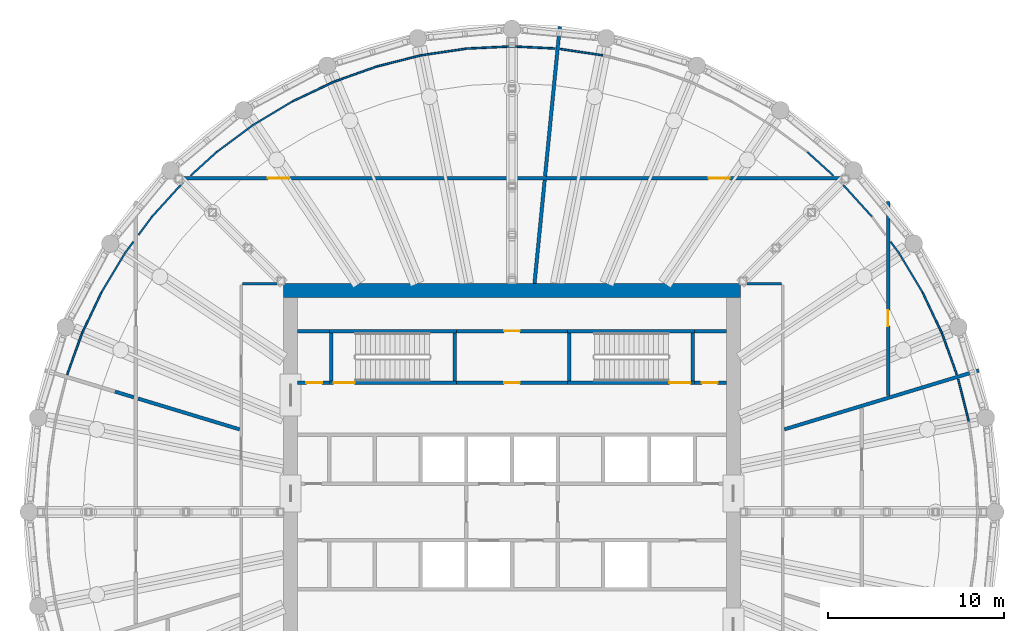
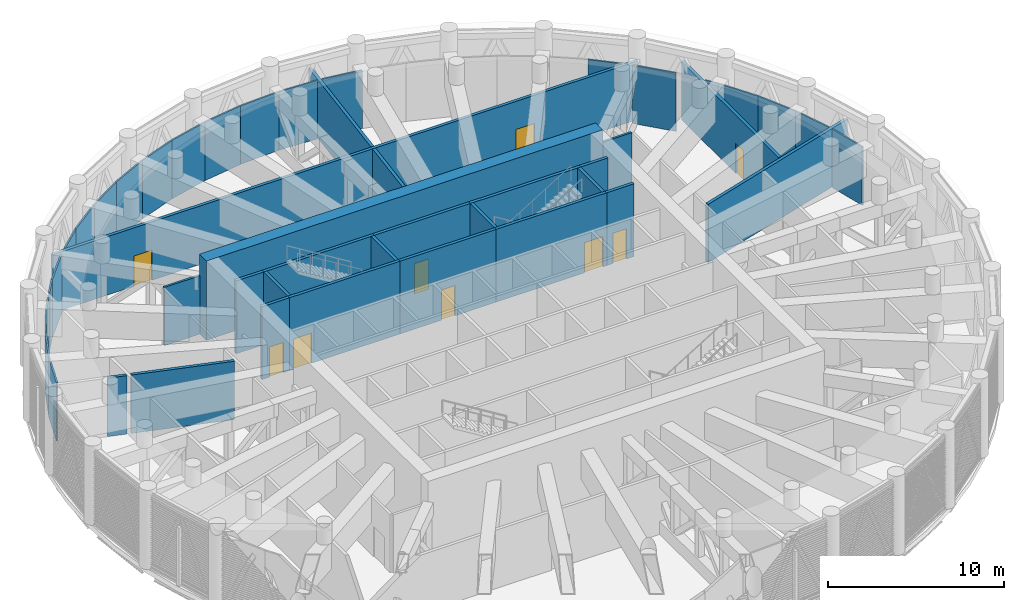
# One storey, part 11 of 24: 47 walls, 9 doors, 9 openings.
"""IFC4 building model written with IfcOpenShell, lengths in metres."""

from ifc_helpers import new_model, si_unit, direction, frame, frame_2d, origin, place, context, subcontext, project, spatial, polyline, rectangle, outline, extrude, material, layer, layer_set, type_object, element, fill, save


model = new_model("IFC4")

# Units and contexts
model_context = context("Model", 3, precision=1e-05, world=origin(), true_north=direction((0.0, 1.0)))
body_context = subcontext(model_context, "Body", "Model", "MODEL_VIEW")
ifc_project = project(units=[si_unit("LENGTHUNIT", "METRE"), si_unit("AREAUNIT", "SQUARE_METRE"), si_unit("VOLUMEUNIT", "CUBIC_METRE"), si_unit("PLANEANGLEUNIT", "RADIAN"), si_unit("MASSUNIT", "GRAM", prefix="KILO")], contexts=[model_context])

# Site, building, storey
site_placement = place(None, origin())
site = spatial("IfcSite", under=ifc_project, at=site_placement, CompositionType="ELEMENT")
building_placement = place(site_placement, origin())
building = spatial("IfcBuilding", under=site, at=building_placement, Name="Corvane Civic Tower", CompositionType="ELEMENT")
storey_placement = place(building_placement, frame((0.0, 0.0, 257.5)))
storey = spatial("IfcBuildingStorey", under=building, at=storey_placement, Name="L61", CompositionType="ELEMENT", Elevation=257.5)

# Wall
ifc_material_1 = material(Name="Concrete C50/60", Category="concrete")
ifc_layer_1 = layer(ifc_material_1, 0.800048828125)
ifc_layer_set_1 = layer_set([ifc_layer_1], Name="Concrete C50/60")
wall_type_1 = type_object("IfcWallType", Name="CORE WALL 800 C50/60", PredefinedType="SHEAR", material=ifc_layer_set_1)
wall_1_placement = place(storey_placement, frame((-13.0, 12.60009765625, 0.0), z_axis=(0.0, 0.0, 1.0), x_axis=(1.0, 0.0, 0.0)))
element("IfcWall", 1, at=wall_1_placement, inside=storey, type_object=wall_type_1, Name="W-L61-core-N", PredefinedType="SHEAR", context=body_context, shape_type="SweptSolid", body=[
    extrude(rectangle(XDim=26.0, YDim=0.800048828125, at=frame_2d((13.0, 0.0))), origin(), (0.0, 0.0, 1.0), 5.5),
])

# Wall, opening, door
ifc_material_2 = material(Name="Concrete C30/37", Category="concrete")
ifc_layer_2 = layer(ifc_material_2, 0.199951171875)
ifc_layer_set_2 = layer_set([ifc_layer_2], Name="Concrete C30/37")
wall_type_2 = type_object("IfcWallType", Name="CR-WALL-200", PredefinedType="PARTITIONING", material=ifc_layer_set_2)
wall_2_placement = place(storey_placement, frame((-12.199951171875, 7.35009765625, 0.0), z_axis=(0.0, 0.0, 1.0), x_axis=(1.0, 0.0, 0.0)))
wall_2 = element("IfcWall", 2, at=wall_2_placement, inside=storey, type_object=wall_type_2, Name="L61 core partition wall", PredefinedType="PARTITIONING", context=body_context, shape_type="SweptSolid", body=[
    extrude(rectangle(XDim=1.800048828125, YDim=0.199951171875, at=frame_2d((0.89990234375, 0.0))), origin(), (0.0, 0.0, 1.0), 5.050048828125),
])
opening_1_placement = place(wall_2_placement, frame((0.5, 0.0, 0.0)))
opening_1 = element("IfcOpeningElement", 3, at=opening_1_placement, cuts=wall_2, Name="Opening L61.C11", PredefinedType="OPENING", context=body_context, shape_type="SweptSolid", body=[
    extrude(rectangle(XDim=0.89990234375, YDim=2.10009765625, at=frame_2d((0.449951171875, 1.050048828125))), frame((0.0, 0.10986328125, 0.0), z_axis=(0.0, -1.0, 0.0), x_axis=(1.0, 0.0, 0.0)), (0.0, 0.0, 1.0), 0.219970703125),
])
ifc_material_3 = material(Name="Steel fire door leaf", Category="steel")
door_type_1 = type_object("IfcDoorType", Name="CR-DOOR-900", OperationType="SINGLE_SWING_LEFT", PredefinedType="DOOR", material=ifc_material_3)
door_1_placement = place(opening_1_placement, origin())
door_1 = element("IfcDoor", 4, at=door_1_placement, inside=storey, type_object=door_type_1, Name="L61 door", OperationType="SINGLE_SWING_LEFT", OverallHeight=2.10009765625, OverallWidth=0.89990234375, PredefinedType="DOOR", context=body_context, shape_type="SweptSolid", body=[
    extrude(rectangle(XDim=0.89990234375, YDim=2.10009765625, at=frame_2d((0.449951171875, 1.050048828125))), frame((0.0, 0.02490234375, 0.0), z_axis=(0.0, -1.0, 0.0), x_axis=(1.0, 0.0, 0.0)), (0.0, 0.0, 1.0), 0.050048828125),
])
fill(opening_1, door_1)

wall_3_placement = place(storey_placement, frame((-3.14990234375, 7.35009765625, 0.0), z_axis=(0.0, 0.0, 1.0), x_axis=(1.0, 0.0, 0.0)))
wall_3 = element("IfcWall", 5, at=wall_3_placement, inside=storey, type_object=wall_type_2, Name="L61 core partition wall", PredefinedType="PARTITIONING", context=body_context, shape_type="SweptSolid", body=[
    extrude(rectangle(XDim=6.2998046875, YDim=0.199951171875, at=frame_2d((3.14990234375, 0.0))), origin(), (0.0, 0.0, 1.0), 5.050048828125),
])
opening_2_placement = place(wall_3_placement, frame((2.699951171875, 0.0, 0.0)))
opening_2 = element("IfcOpeningElement", 6, at=opening_2_placement, cuts=wall_3, Name="Opening L61.C07", PredefinedType="OPENING", context=body_context, shape_type="SweptSolid", body=[
    extrude(rectangle(XDim=0.89990234375, YDim=2.10009765625, at=frame_2d((0.449951171875, 1.050048828125))), frame((0.0, 0.10986328125, 0.0), z_axis=(0.0, -1.0, 0.0), x_axis=(1.0, 0.0, 0.0)), (0.0, 0.0, 1.0), 0.219970703125),
])
door_2_placement = place(opening_2_placement, origin())
door_2 = element("IfcDoor", 7, at=door_2_placement, inside=storey, type_object=door_type_1, Name="L61 door", OperationType="SINGLE_SWING_LEFT", OverallHeight=2.10009765625, OverallWidth=0.89990234375, PredefinedType="DOOR", context=body_context, shape_type="SweptSolid", body=[
    extrude(rectangle(XDim=0.89990234375, YDim=2.10009765625, at=frame_2d((0.449951171875, 1.050048828125))), frame((0.0, 0.02490234375, 0.0), z_axis=(0.0, -1.0, 0.0), x_axis=(1.0, 0.0, 0.0)), (0.0, 0.0, 1.0), 0.050048828125),
])
fill(opening_2, door_2)

wall_4_placement = place(storey_placement, frame((10.39990234375, 7.35009765625, 0.0), z_axis=(0.0, 0.0, 1.0), x_axis=(1.0, 0.0, 0.0)))
wall_4 = element("IfcWall", 8, at=wall_4_placement, inside=storey, type_object=wall_type_2, Name="L61 core partition wall", PredefinedType="PARTITIONING", context=body_context, shape_type="SweptSolid", body=[
    extrude(rectangle(XDim=1.800048828125, YDim=0.199951171875, at=frame_2d((0.89990234375, 0.0))), origin(), (0.0, 0.0, 1.0), 5.050048828125),
])
opening_3_placement = place(wall_4_placement, frame((0.39990234375, 0.0, 0.0)))
opening_3 = element("IfcOpeningElement", 9, at=opening_3_placement, cuts=wall_4, Name="Opening L61.C13", PredefinedType="OPENING", context=body_context, shape_type="SweptSolid", body=[
    extrude(rectangle(XDim=0.89990234375, YDim=2.10009765625, at=frame_2d((0.449951171875, 1.050048828125))), frame((0.0, 0.10986328125, 0.0), z_axis=(0.0, -1.0, 0.0), x_axis=(1.0, 0.0, 0.0)), (0.0, 0.0, 1.0), 0.219970703125),
])
door_3_placement = place(opening_3_placement, origin())
door_3 = element("IfcDoor", 10, at=door_3_placement, inside=storey, type_object=door_type_1, Name="L61 door", OperationType="SINGLE_SWING_LEFT", OverallHeight=2.10009765625, OverallWidth=0.89990234375, PredefinedType="DOOR", context=body_context, shape_type="SweptSolid", body=[
    extrude(rectangle(XDim=0.89990234375, YDim=2.10009765625, at=frame_2d((0.449951171875, 1.050048828125))), frame((0.0, 0.02490234375, 0.0), z_axis=(0.0, -1.0, 0.0), x_axis=(1.0, 0.0, 0.0)), (0.0, 0.0, 1.0), 0.050048828125),
])
fill(opening_3, door_3)

wall_5_placement = place(storey_placement, frame((-3.14990234375, 10.300048828125, 0.0), z_axis=(0.0, 0.0, 1.0), x_axis=(1.0, 0.0, 0.0)))
wall_5 = element("IfcWall", 11, at=wall_5_placement, inside=storey, type_object=wall_type_2, Name="L61 partition wall", PredefinedType="PARTITIONING", context=body_context, shape_type="SweptSolid", body=[
    extrude(rectangle(XDim=6.2998046875, YDim=0.199951171875, at=frame_2d((3.14990234375, 0.0))), origin(), (0.0, 0.0, 1.0), 5.050048828125),
])
opening_4_placement = place(wall_5_placement, frame((2.699951171875, 0.0, 0.0)))
opening_4 = element("IfcOpeningElement", 12, at=opening_4_placement, cuts=wall_5, Name="Opening L61.C09", PredefinedType="OPENING", context=body_context, shape_type="SweptSolid", body=[
    extrude(rectangle(XDim=0.89990234375, YDim=2.10009765625, at=frame_2d((0.449951171875, 1.050048828125))), frame((0.0, 0.10986328125, 0.0), z_axis=(0.0, -1.0, 0.0), x_axis=(1.0, 0.0, 0.0)), (0.0, 0.0, 1.0), 0.219970703125),
])
door_4_placement = place(opening_4_placement, origin())
door_4 = element("IfcDoor", 13, at=door_4_placement, inside=storey, type_object=door_type_1, Name="L61 door", OperationType="SINGLE_SWING_LEFT", OverallHeight=2.10009765625, OverallWidth=0.89990234375, PredefinedType="DOOR", context=body_context, shape_type="SweptSolid", body=[
    extrude(rectangle(XDim=0.89990234375, YDim=2.10009765625, at=frame_2d((0.449951171875, 1.050048828125))), frame((0.0, 0.02490234375, 0.0), z_axis=(0.0, -1.0, 0.0), x_axis=(1.0, 0.0, 0.0)), (0.0, 0.0, 1.0), 0.050048828125),
])
fill(opening_4, door_4)

# Walls
wall_6_placement = place(storey_placement, origin())
element("IfcWall", 14, at=wall_6_placement, inside=storey, type_object=wall_type_2, Name="L61 core partition wall", PredefinedType="PARTITIONING", context=body_context, shape_type="SweptSolid", body=[
    extrude(outline(polyline([(-12.199951171875, 10.199951171875), (-12.199951171875, 10.39990234375), (-10.39990234375, 10.39990234375), (-10.39990234375, 10.199951171875), (-12.199951171875, 10.199951171875)])), origin(), (0.0, 0.0, 1.0), 5.050048828125),
])
wall_7_placement = place(storey_placement, origin())
element("IfcWall", 15, at=wall_7_placement, inside=storey, type_object=wall_type_2, Name="L61 core partition wall", PredefinedType="PARTITIONING", context=body_context, shape_type="SweptSolid", body=[
    extrude(outline(polyline([(10.39990234375, 10.199951171875), (10.39990234375, 10.39990234375), (12.199951171875, 10.39990234375), (12.199951171875, 10.199951171875), (10.39990234375, 10.199951171875)])), origin(), (0.0, 0.0, 1.0), 5.050048828125),
])
ifc_material_4 = material(Name="Plasterboard")
ifc_layer_3 = layer(ifc_material_4, 0.10009765625)
ifc_layer_set_3 = layer_set([ifc_layer_3], Name="Plasterboard")
wall_type_3 = type_object("IfcWallType", Name="Partition 100 plasterboard on studs", PredefinedType="PARTITIONING", material=ifc_layer_set_3)
for number, where, z_axis, x_axis, name in (
    (16, (25.391845703125, 7.55615234375, 0.0), (0.0, 0.0, 1.0), (0.243025930525, -0.970019792114, 0.0), "Partition L61.030"),
    (17, (24.481689453125, 10.140625, 0.0), (0.0, 0.0, 1.0), (0.336902109308, -0.941539679856, 0.0), "Partition L61.032"),
):
    element("IfcWall", number, at=place(storey_placement, frame(where, z_axis=z_axis, x_axis=x_axis)), inside=storey, type_object=wall_type_3, Name=name, PredefinedType="PARTITIONING", context=body_context, shape_type="SweptSolid", body=[
        extrude(rectangle(XDim=2.460205078125, YDim=0.10009765625, at=frame_2d((1.22998046875, 0.0))), origin(), (0.0, 0.0, 1.0), 4.050048828125),
    ])
wall_8_placement = place(storey_placement, frame((23.36962890625, 12.491455078125, 0.0), z_axis=(0.0, 0.0, 1.0), x_axis=(0.427618167427, -0.903959458652, 0.0)))
element("IfcWall", 18, at=wall_8_placement, inside=storey, type_object=wall_type_3, Name="Partition L61.034", PredefinedType="PARTITIONING", context=body_context, shape_type="SweptSolid", body=[
    extrude(rectangle(XDim=2.6005859375, YDim=0.10009765625, at=frame_2d((1.30029296875, 0.0))), origin(), (0.0, 0.0, 1.0), 4.050048828125),
])
wall_9_placement = place(storey_placement, frame((22.032958984375, 14.721923828125, 0.0), z_axis=(0.0, 0.0, 1.0), x_axis=(0.514040046977, -0.857766186151, 0.0)))
element("IfcWall", 19, at=wall_9_placement, inside=storey, type_object=wall_type_3, Name="Partition L61.036", PredefinedType="PARTITIONING", context=body_context, shape_type="SweptSolid", body=[
    extrude(rectangle(XDim=2.600341796875, YDim=0.10009765625, at=frame_2d((1.30029296875, 0.0))), origin(), (0.0, 0.0, 1.0), 4.050048828125),
])
wall_10_placement = place(storey_placement, frame((21.5400390625, 15.386474609375, 0.0), z_axis=(0.0, 0.0, 1.0), x_axis=(0.595742556119, -0.803175452083, 0.0)))
element("IfcWall", 20, at=wall_10_placement, inside=storey, type_object=wall_type_3, Name="Partition L61.039", PredefinedType="PARTITIONING", context=body_context, shape_type="SweptSolid", body=[
    extrude(rectangle(XDim=0.827392578125, YDim=0.10009765625, at=frame_2d((0.41357421875, 0.0))), origin(), (0.0, 0.0, 1.0), 4.050048828125),
])
wall_11_placement = place(storey_placement, frame((18.7373046875, 18.7373046875, 0.0), z_axis=(0.0, 0.0, 1.0), x_axis=(0.671616067397, -0.740899357548, 0.0)))
element("IfcWall", 21, at=wall_11_placement, inside=storey, type_object=wall_type_3, Name="Partition L61.041", PredefinedType="PARTITIONING", context=body_context, shape_type="SweptSolid", body=[
    extrude(rectangle(XDim=2.6005859375, YDim=0.10009765625, at=frame_2d((1.30029296875, 0.0))), origin(), (0.0, 0.0, 1.0), 4.050048828125),
])
wall_12_placement = place(storey_placement, frame((16.810546875, 20.48388671875, 0.0), z_axis=(0.0, 0.0, 1.0), x_axis=(0.740905372848, -0.671609431504, 0.0)))
element("IfcWall", 22, at=wall_12_placement, inside=storey, type_object=wall_type_3, Name="Partition L61.042", PredefinedType="PARTITIONING", context=body_context, shape_type="SweptSolid", body=[
    extrude(rectangle(XDim=2.001220703125, YDim=0.10009765625, at=frame_2d((1.00048828125, 0.0))), origin(), (0.0, 0.0, 1.0), 4.050048828125),
])
for number, where, z_axis, x_axis, name in (
    (23, (2.736083984375, 26.3505859375, 0.0), (0.0, 0.0, 1.0), (0.989185339215, -0.146670940144, 0.0), "Partition L61.054"),
    (24, (0.0, 26.498779296875, 0.0), (0.0, 0.0, 1.0), (0.998792837062, -0.0491209592, 0.0), "Partition L61.057"),
):
    element("IfcWall", number, at=place(storey_placement, frame(where, z_axis=z_axis, x_axis=x_axis)), inside=storey, type_object=wall_type_3, Name=name, PredefinedType="PARTITIONING", context=body_context, shape_type="SweptSolid", body=[
        extrude(rectangle(XDim=2.460205078125, YDim=0.10009765625, at=frame_2d((1.22998046875, 0.0))), origin(), (0.0, 0.0, 1.0), 4.050048828125),
    ])
wall_13_placement = place(storey_placement, frame((-2.597412109375, 26.37109375, 0.0), z_axis=(0.0, 0.0, 1.0), x_axis=(0.99879389393, 0.049099464849, 0.0)))
element("IfcWall", 25, at=wall_13_placement, inside=storey, type_object=wall_type_3, Name="Partition L61.059", PredefinedType="PARTITIONING", context=body_context, shape_type="SweptSolid", body=[
    extrude(rectangle(XDim=2.6005859375, YDim=0.10009765625, at=frame_2d((1.30029296875, 0.0))), origin(), (0.0, 0.0, 1.0), 4.050048828125),
])
for number, where, z_axis, x_axis, name in (
    (26, (-5.169677734375, 25.98974609375, 0.0), (0.0, 0.0, 1.0), (0.989188334427, 0.146650738266, 0.0), "Partition L61.060"),
    (27, (-7.692138671875, 25.35791015625, 0.0), (0.0, 0.0, 1.0), (0.970031945218, 0.242977417172, 0.0), "Partition L61.063"),
):
    element("IfcWall", number, at=place(storey_placement, frame(where, z_axis=z_axis, x_axis=x_axis)), inside=storey, type_object=wall_type_3, Name=name, PredefinedType="PARTITIONING", context=body_context, shape_type="SweptSolid", body=[
        extrude(rectangle(XDim=2.600341796875, YDim=0.10009765625, at=frame_2d((1.30029296875, 0.0))), origin(), (0.0, 0.0, 1.0), 4.050048828125),
    ])
for number, where, z_axis, x_axis, name in (
    (28, (-10.140625, 24.481689453125, 0.0), (0.0, 0.0, 1.0), (0.941527196798, 0.336936993649, 0.0), "Partition L61.065"),
    (29, (-12.491455078125, 23.36962890625, 0.0), (0.0, 0.0, 1.0), (0.903959458652, 0.427618167427, 0.0), "Partition L61.067"),
):
    element("IfcWall", number, at=place(storey_placement, frame(where, z_axis=z_axis, x_axis=x_axis)), inside=storey, type_object=wall_type_3, Name=name, PredefinedType="PARTITIONING", context=body_context, shape_type="SweptSolid", body=[
        extrude(rectangle(XDim=2.6005859375, YDim=0.10009765625, at=frame_2d((1.30029296875, 0.0))), origin(), (0.0, 0.0, 1.0), 4.050048828125),
    ])
for number, where, z_axis, x_axis, name in (
    (30, (-14.721923828125, 22.032958984375, 0.0), (0.0, 0.0, 1.0), (0.857766186151, 0.514040046977, 0.0), "Partition L61.069"),
    (31, (-16.810546875, 20.48388671875, 0.0), (0.0, 0.0, 1.0), (0.80319946448, 0.595710181429, 0.0), "Partition L61.071"),
):
    element("IfcWall", number, at=place(storey_placement, frame(where, z_axis=z_axis, x_axis=x_axis)), inside=storey, type_object=wall_type_3, Name=name, PredefinedType="PARTITIONING", context=body_context, shape_type="SweptSolid", body=[
        extrude(rectangle(XDim=2.600341796875, YDim=0.10009765625, at=frame_2d((1.30029296875, 0.0))), origin(), (0.0, 0.0, 1.0), 4.050048828125),
    ])
wall_14_placement = place(storey_placement, frame((-18.293212890625, 19.139892578125, 0.0), z_axis=(0.0, 0.0, 1.0), x_axis=(0.740905372848, 0.671609431504, 0.0)))
element("IfcWall", 32, at=wall_14_placement, inside=storey, type_object=wall_type_3, Name="Partition L61.073", PredefinedType="PARTITIONING", context=body_context, shape_type="SweptSolid", body=[
    extrude(rectangle(XDim=2.001220703125, YDim=0.10009765625, at=frame_2d((1.00048828125, 0.0))), origin(), (0.0, 0.0, 1.0), 4.050048828125),
])
wall_15_placement = place(storey_placement, frame((-20.48388671875, 16.810546875, 0.0), z_axis=(0.0, 0.0, 1.0), x_axis=(0.671616067397, 0.740899357548, 0.0)))
element("IfcWall", 33, at=wall_15_placement, inside=storey, type_object=wall_type_3, Name="Partition L61.075", PredefinedType="PARTITIONING", context=body_context, shape_type="SweptSolid", body=[
    extrude(rectangle(XDim=2.6005859375, YDim=0.10009765625, at=frame_2d((1.30029296875, 0.0))), origin(), (0.0, 0.0, 1.0), 4.050048828125),
])
wall_16_placement = place(storey_placement, frame((-22.032958984375, 14.721923828125, 0.0), z_axis=(0.0, 0.0, 1.0), x_axis=(0.595742556119, 0.803175452083, 0.0)))
element("IfcWall", 34, at=wall_16_placement, inside=storey, type_object=wall_type_3, Name="Partition L61.076", PredefinedType="PARTITIONING", context=body_context, shape_type="SweptSolid", body=[
    extrude(rectangle(XDim=0.827392578125, YDim=0.10009765625, at=frame_2d((0.41357421875, 0.0))), origin(), (0.0, 0.0, 1.0), 4.050048828125),
])
wall_17_placement = place(storey_placement, frame((-21.260009765625, 15.763916015625, 0.0), z_axis=(0.0, 0.0, 1.0), x_axis=(0.595644195201, 0.803248400386, 0.0)))
element("IfcWall", 35, at=wall_17_placement, inside=storey, type_object=wall_type_3, Name="Partition L61.078", PredefinedType="PARTITIONING", context=body_context, shape_type="SweptSolid", body=[
    extrude(rectangle(XDim=1.302978515625, YDim=0.10009765625, at=frame_2d((0.6513671875, 0.0))), origin(), (0.0, 0.0, 1.0), 4.050048828125),
])
wall_18_placement = place(storey_placement, frame((-23.36962890625, 12.491455078125, 0.0), z_axis=(0.0, 0.0, 1.0), x_axis=(0.514040046977, 0.857766186151, 0.0)))
element("IfcWall", 36, at=wall_18_placement, inside=storey, type_object=wall_type_3, Name="Partition L61.080", PredefinedType="PARTITIONING", context=body_context, shape_type="SweptSolid", body=[
    extrude(rectangle(XDim=2.600341796875, YDim=0.10009765625, at=frame_2d((1.30029296875, 0.0))), origin(), (0.0, 0.0, 1.0), 4.050048828125),
])
wall_19_placement = place(storey_placement, frame((-24.481689453125, 10.140625, 0.0), z_axis=(0.0, 0.0, 1.0), x_axis=(0.427618167427, 0.903959458652, 0.0)))
element("IfcWall", 37, at=wall_19_placement, inside=storey, type_object=wall_type_3, Name="Partition L61.082", PredefinedType="PARTITIONING", context=body_context, shape_type="SweptSolid", body=[
    extrude(rectangle(XDim=2.6005859375, YDim=0.10009765625, at=frame_2d((1.30029296875, 0.0))), origin(), (0.0, 0.0, 1.0), 4.050048828125),
])
wall_20_placement = place(storey_placement, frame((-25.310546875, 7.82421875, 0.0), z_axis=(0.0, 0.0, 1.0), x_axis=(0.336902109308, 0.941539679856, 0.0)))
element("IfcWall", 38, at=wall_20_placement, inside=storey, type_object=wall_type_3, Name="Partition L61.084", PredefinedType="PARTITIONING", context=body_context, shape_type="SweptSolid", body=[
    extrude(rectangle(XDim=2.460205078125, YDim=0.10009765625, at=frame_2d((1.22998046875, 0.0))), origin(), (0.0, 0.0, 1.0), 4.050048828125),
])
ifc_material_5 = material(Name="Gypsum fibreboard")
ifc_layer_4 = layer(ifc_material_5, 0.199951171875)
ifc_layer_set_4 = layer_set([ifc_layer_4], Name="Gypsum fibreboard")
wall_type_4 = type_object("IfcWallType", Name="Plant and refuge wall 200 EI 120", PredefinedType="PARTITIONING", material=ifc_layer_set_4)
wall_21_placement = place(storey_placement, frame((-21.27099609375, 6.452392578125, 0.0), z_axis=(0.0, 0.0, 1.0), x_axis=(0.956947710399, -0.290260365126, 0.0)))
element("IfcWall", 39, at=wall_21_placement, inside=storey, type_object=wall_type_4, Name="Partition L61.015", PredefinedType="PARTITIONING", context=body_context, shape_type="SweptSolid", body=[
    extrude(rectangle(XDim=6.026611328125, YDim=0.199951171875, at=frame_2d((3.01318359375, 0.0))), origin(), (0.0, 0.0, 1.0), 4.050048828125),
])
wall_22_placement = place(storey_placement, frame((15.50390625, 4.703125, 0.0), z_axis=(0.0, 0.0, 1.0), x_axis=(0.956943825773, 0.290273171884, 0.0)))
element("IfcWall", 40, at=wall_22_placement, inside=storey, type_object=wall_type_4, Name="Partition L61.016", PredefinedType="PARTITIONING", context=body_context, shape_type="SweptSolid", body=[
    extrude(rectangle(XDim=11.548828125, YDim=0.199951171875, at=frame_2d((5.7744140625, 0.0))), origin(), (0.0, 0.0, 1.0), 4.050048828125),
])
wall_23_placement = place(storey_placement, frame((-22.590087890625, 6.8525390625, 0.0), z_axis=(0.0, 0.0, 1.0), x_axis=(0.956987703465, -0.290128480877, 0.0)))
element("IfcWall", 41, at=wall_23_placement, inside=storey, type_object=wall_type_4, Name="Partition L61.017", PredefinedType="PARTITIONING", context=body_context, shape_type="SweptSolid", body=[
    extrude(rectangle(XDim=1.119140625, YDim=0.199951171875, at=frame_2d((0.5595703125, 0.0))), origin(), (0.0, 0.0, 1.0), 4.050048828125),
])

# Wall, opening, door
wall_24_placement = place(storey_placement, frame((21.39990234375, 6.62646484375, 0.0), z_axis=(0.0, 0.0, 1.0), x_axis=(0.0, 1.0, 0.0)))
wall_24 = element("IfcWall", 42, at=wall_24_placement, inside=storey, type_object=wall_type_4, Name="Partition L61.018", PredefinedType="PARTITIONING", context=body_context, shape_type="SweptSolid", body=[
    extrude(rectangle(XDim=11.034423828125, YDim=0.199951171875, at=frame_2d((5.51708984375, 0.0))), origin(), (0.0, 0.0, 1.0), 4.050048828125),
])
opening_5_placement = place(wall_24_placement, frame((3.956787109375, 0.0, 0.0)))
opening_5 = element("IfcOpeningElement", 43, at=opening_5_placement, cuts=wall_24, Name="Opening L61.003", PredefinedType="OPENING", context=body_context, shape_type="SweptSolid", body=[
    extrude(rectangle(XDim=0.89990234375, YDim=2.10009765625, at=frame_2d((0.449951171875, 1.050048828125))), frame((0.0, 0.10986328125, 0.0), z_axis=(0.0, -1.0, 0.0), x_axis=(1.0, 0.0, 0.0)), (0.0, 0.0, 1.0), 0.219970703125),
])
ifc_material_6 = material(Name="Steel and timber", Category="steel")
door_type_2 = type_object("IfcDoorType", Name="Fire door FD30S 900", OperationType="NOTDEFINED", PredefinedType="DOOR", material=ifc_material_6)
door_5_placement = place(opening_5_placement, frame((0.89990234375, 0.0, 0.0), z_axis=(0.0, 0.0, 1.0), x_axis=(-1.0, 0.0, 0.0)))
door_5 = element("IfcDoor", 44, at=door_5_placement, inside=storey, type_object=door_type_2, Name="Door L61.003", OperationType="SINGLE_SWING_LEFT", OverallHeight=2.10009765625, OverallWidth=0.89990234375, PredefinedType="DOOR", context=body_context, shape_type="SweptSolid", body=[
    extrude(rectangle(XDim=0.89990234375, YDim=2.10009765625, at=frame_2d((0.449951171875, 1.050048828125))), frame((0.0, 0.02490234375, 0.0), z_axis=(0.0, -1.0, 0.0), x_axis=(1.0, 0.0, 0.0)), (0.0, 0.0, 1.0), 0.050048828125),
])
fill(opening_5, door_5)

# Wall
wall_25_placement = place(storey_placement, frame((1.280517578125, 13.0, 0.0), z_axis=(0.0, 0.0, 1.0), x_axis=(0.09801129765, 0.995185302109, 0.0)))
element("IfcWall", 45, at=wall_25_placement, inside=storey, type_object=wall_type_4, Name="Partition L61.021", PredefinedType="PARTITIONING", context=body_context, shape_type="SweptSolid", body=[
    extrude(rectangle(XDim=5.928466796875, YDim=0.199951171875, at=frame_2d((2.96435546875, 0.0))), origin(), (0.0, 0.0, 1.0), 4.050048828125),
])

# Wall, openings, doors
wall_26_placement = place(storey_placement, frame((-19.1787109375, 19.0, 0.0), z_axis=(0.0, 0.0, 1.0), x_axis=(1.0, 0.0, 0.0)))
wall_26 = element("IfcWall", 46, at=wall_26_placement, inside=storey, type_object=wall_type_4, Name="Partition L61.023", PredefinedType="PARTITIONING", context=body_context, shape_type="SweptSolid", body=[
    extrude(rectangle(XDim=38.357421875, YDim=0.199951171875, at=frame_2d((19.1787109375, 0.0))), origin(), (0.0, 0.0, 1.0), 4.050048828125),
])
opening_6_placement = place(wall_26_placement, frame((5.290283203125, 0.0, 0.0)))
opening_6 = element("IfcOpeningElement", 47, at=opening_6_placement, cuts=wall_26, Name="Opening L61.002", PredefinedType="OPENING", context=body_context, shape_type="SweptSolid", body=[
    extrude(rectangle(XDim=1.199951171875, YDim=2.10009765625, at=frame_2d((0.60009765625, 1.050048828125))), frame((0.0, 0.10986328125, 0.0), z_axis=(0.0, -1.0, 0.0), x_axis=(1.0, 0.0, 0.0)), (0.0, 0.0, 1.0), 0.219970703125),
])
opening_7_placement = place(wall_26_placement, frame((30.363525390625, 0.0, 0.0)))
opening_7 = element("IfcOpeningElement", 48, at=opening_7_placement, cuts=wall_26, Name="Opening L61.004", PredefinedType="OPENING", context=body_context, shape_type="SweptSolid", body=[
    extrude(rectangle(XDim=1.199951171875, YDim=2.10009765625, at=frame_2d((0.60009765625, 1.050048828125))), frame((0.0, 0.10986328125, 0.0), z_axis=(0.0, -1.0, 0.0), x_axis=(1.0, 0.0, 0.0)), (0.0, 0.0, 1.0), 0.219970703125),
])
ifc_material_7 = material(Name="Steel and timber", Category="steel")
door_type_3 = type_object("IfcDoorType", Name="Fire door FD60 1200", OperationType="NOTDEFINED", PredefinedType="DOOR", material=ifc_material_7)
door_6_placement = place(opening_6_placement, origin())
door_6 = element("IfcDoor", 49, at=door_6_placement, inside=storey, type_object=door_type_3, Name="Door L61.002", OperationType="SINGLE_SWING_RIGHT", OverallHeight=2.10009765625, OverallWidth=1.199951171875, PredefinedType="DOOR", context=body_context, shape_type="SweptSolid", body=[
    extrude(rectangle(XDim=1.199951171875, YDim=2.10009765625, at=frame_2d((0.60009765625, 1.050048828125))), frame((0.0, 0.02490234375, 0.0), z_axis=(0.0, -1.0, 0.0), x_axis=(1.0, 0.0, 0.0)), (0.0, 0.0, 1.0), 0.050048828125),
])
fill(opening_6, door_6)
door_7_placement = place(opening_7_placement, origin())
door_7 = element("IfcDoor", 50, at=door_7_placement, inside=storey, type_object=door_type_3, Name="Door L61.004", OperationType="SINGLE_SWING_LEFT", OverallHeight=2.10009765625, OverallWidth=1.199951171875, PredefinedType="DOOR", context=body_context, shape_type="SweptSolid", body=[
    extrude(rectangle(XDim=1.199951171875, YDim=2.10009765625, at=frame_2d((0.60009765625, 1.050048828125))), frame((0.0, 0.02490234375, 0.0), z_axis=(0.0, -1.0, 0.0), x_axis=(1.0, 0.0, 0.0)), (0.0, 0.0, 1.0), 0.050048828125),
])
fill(opening_7, door_7)

# Wall
wall_27_placement = place(storey_placement, frame((1.882080078125, 19.10986328125, 0.0), z_axis=(0.0, 0.0, 1.0), x_axis=(0.098024609167, 0.995183991028, 0.0)))
element("IfcWall", 51, at=wall_27_placement, inside=storey, type_object=wall_type_4, Name="Partition L61.024", PredefinedType="PARTITIONING", context=body_context, shape_type="SweptSolid", body=[
    extrude(rectangle(XDim=8.5478515625, YDim=0.199951171875, at=frame_2d((4.27392578125, 0.0))), origin(), (0.0, 0.0, 1.0), 4.050048828125),
])

# Wall, opening, door
ifc_material_8 = material(Name="Concrete C50/60", Category="concrete")
ifc_layer_5 = layer(ifc_material_8, 0.199951171875)
ifc_layer_set_5 = layer_set([ifc_layer_5], Name="Concrete C50/60")
wall_type_5 = type_object("IfcWallType", Name="ST-WALL-200", PredefinedType="SHEAR", material=ifc_layer_set_5)
wall_28_placement = place(storey_placement, frame((-10.39990234375, 7.35009765625, 0.0), z_axis=(0.0, 0.0, 1.0), x_axis=(1.0, 0.0, 0.0)))
wall_28 = element("IfcWall", 52, at=wall_28_placement, inside=storey, type_object=wall_type_5, Name="L61 stair enclosure wall", PredefinedType="SHEAR", context=body_context, shape_type="SweptSolid", body=[
    extrude(rectangle(XDim=7.25, YDim=0.199951171875, at=frame_2d((3.625, 0.0))), origin(), (0.0, 0.0, 1.0), 5.050048828125),
])
opening_8_placement = place(wall_28_placement, frame((0.25, 0.0, 0.0)))
opening_8 = element("IfcOpeningElement", 53, at=opening_8_placement, cuts=wall_28, Name="Opening L61.C16", PredefinedType="OPENING", context=body_context, shape_type="SweptSolid", body=[
    extrude(rectangle(XDim=1.199951171875, YDim=2.10009765625, at=frame_2d((0.60009765625, 1.050048828125))), frame((0.0, 0.10986328125, 0.0), z_axis=(0.0, -1.0, 0.0), x_axis=(1.0, 0.0, 0.0)), (0.0, 0.0, 1.0), 0.219970703125),
])
ifc_material_9 = material(Name="Steel fire door leaf", Category="steel")
door_type_4 = type_object("IfcDoorType", Name="ST-DOOR-1200", OperationType="SINGLE_SWING_RIGHT", PredefinedType="DOOR", material=ifc_material_9)
door_8_placement = place(opening_8_placement, origin())
door_8 = element("IfcDoor", 54, at=door_8_placement, inside=storey, type_object=door_type_4, Name="L61 stair door", OperationType="SINGLE_SWING_RIGHT", OverallHeight=2.10009765625, OverallWidth=1.199951171875, PredefinedType="DOOR", context=body_context, shape_type="SweptSolid", body=[
    extrude(rectangle(XDim=1.199951171875, YDim=2.10009765625, at=frame_2d((0.60009765625, 1.050048828125))), frame((0.0, 0.02490234375, 0.0), z_axis=(0.0, -1.0, 0.0), x_axis=(1.0, 0.0, 0.0)), (0.0, 0.0, 1.0), 0.050048828125),
])
fill(opening_8, door_8)

wall_29_placement = place(storey_placement, frame((3.14990234375, 7.35009765625, 0.0), z_axis=(0.0, 0.0, 1.0), x_axis=(1.0, 0.0, 0.0)))
wall_29 = element("IfcWall", 55, at=wall_29_placement, inside=storey, type_object=wall_type_5, Name="L61 stair enclosure wall", PredefinedType="SHEAR", context=body_context, shape_type="SweptSolid", body=[
    extrude(rectangle(XDim=7.25, YDim=0.199951171875, at=frame_2d((3.625, 0.0))), origin(), (0.0, 0.0, 1.0), 5.050048828125),
])
opening_9_placement = place(wall_29_placement, frame((5.800048828125, 0.0, 0.0)))
opening_9 = element("IfcOpeningElement", 56, at=opening_9_placement, cuts=wall_29, Name="Opening L61.C15", PredefinedType="OPENING", context=body_context, shape_type="SweptSolid", body=[
    extrude(rectangle(XDim=1.199951171875, YDim=2.10009765625, at=frame_2d((0.60009765625, 1.050048828125))), frame((0.0, 0.10986328125, 0.0), z_axis=(0.0, -1.0, 0.0), x_axis=(1.0, 0.0, 0.0)), (0.0, 0.0, 1.0), 0.219970703125),
])
door_9_placement = place(opening_9_placement, origin())
door_9 = element("IfcDoor", 57, at=door_9_placement, inside=storey, type_object=door_type_4, Name="L61 stair door", OperationType="SINGLE_SWING_RIGHT", OverallHeight=2.10009765625, OverallWidth=1.199951171875, PredefinedType="DOOR", context=body_context, shape_type="SweptSolid", body=[
    extrude(rectangle(XDim=1.199951171875, YDim=2.10009765625, at=frame_2d((0.60009765625, 1.050048828125))), frame((0.0, 0.02490234375, 0.0), z_axis=(0.0, -1.0, 0.0), x_axis=(1.0, 0.0, 0.0)), (0.0, 0.0, 1.0), 0.050048828125),
])
fill(opening_9, door_9)

# Walls
wall_30_placement = place(storey_placement, origin())
element("IfcWall", 58, at=wall_30_placement, inside=storey, type_object=wall_type_5, Name="L61 stair enclosure wall", PredefinedType="SHEAR", context=body_context, shape_type="SweptSolid", body=[
    extrude(outline(polyline([(-3.14990234375, 10.199951171875), (-10.39990234375, 10.199951171875), (-10.39990234375, 10.39990234375), (-3.14990234375, 10.39990234375), (-3.14990234375, 10.199951171875)])), origin(), (0.0, 0.0, 1.0), 5.050048828125),
])
wall_31_placement = place(storey_placement, origin())
element("IfcWall", 59, at=wall_31_placement, inside=storey, type_object=wall_type_5, Name="L61 stair enclosure wall", PredefinedType="SHEAR", context=body_context, shape_type="SweptSolid", body=[
    extrude(outline(polyline([(10.39990234375, 10.199951171875), (3.14990234375, 10.199951171875), (3.14990234375, 10.39990234375), (10.39990234375, 10.39990234375), (10.39990234375, 10.199951171875)])), origin(), (0.0, 0.0, 1.0), 5.050048828125),
])
wall_32_placement = place(storey_placement, origin())
element("IfcWall", 60, at=wall_32_placement, inside=storey, type_object=wall_type_5, Name="L61 stair enclosure wall", PredefinedType="SHEAR", context=body_context, shape_type="SweptSolid", body=[
    extrude(outline(polyline([(-3.14990234375, 7.449951171875), (-3.35009765625, 7.449951171875), (-3.35009765625, 10.199951171875), (-3.14990234375, 10.199951171875), (-3.14990234375, 7.449951171875)])), origin(), (0.0, 0.0, 1.0), 5.050048828125),
])
wall_33_placement = place(storey_placement, origin())
element("IfcWall", 61, at=wall_33_placement, inside=storey, type_object=wall_type_5, Name="L61 stair enclosure wall", PredefinedType="SHEAR", context=body_context, shape_type="SweptSolid", body=[
    extrude(outline(polyline([(3.35009765625, 7.449951171875), (3.14990234375, 7.449951171875), (3.14990234375, 10.199951171875), (3.35009765625, 10.199951171875), (3.35009765625, 7.449951171875)])), origin(), (0.0, 0.0, 1.0), 5.050048828125),
])
wall_34_placement = place(storey_placement, origin())
element("IfcWall", 62, at=wall_34_placement, inside=storey, type_object=wall_type_5, Name="L61 stair enclosure wall", PredefinedType="SHEAR", context=body_context, shape_type="SweptSolid", body=[
    extrude(outline(polyline([(-10.199951171875, 7.449951171875), (-10.39990234375, 7.449951171875), (-10.39990234375, 10.199951171875), (-10.199951171875, 10.199951171875), (-10.199951171875, 7.449951171875)])), origin(), (0.0, 0.0, 1.0), 5.050048828125),
])
wall_35_placement = place(storey_placement, origin())
element("IfcWall", 63, at=wall_35_placement, inside=storey, type_object=wall_type_5, Name="L61 stair enclosure wall", PredefinedType="SHEAR", context=body_context, shape_type="SweptSolid", body=[
    extrude(outline(polyline([(10.39990234375, 7.449951171875), (10.199951171875, 7.449951171875), (10.199951171875, 10.199951171875), (10.39990234375, 10.199951171875), (10.39990234375, 7.449951171875)])), origin(), (0.0, 0.0, 1.0), 5.050048828125),
])
ifc_material_10 = material(Name="Plasterboard")
ifc_layer_6 = layer(ifc_material_10, 0.14990234375)
ifc_layer_set_6 = layer_set([ifc_layer_6], Name="Plasterboard")
wall_type_6 = type_object("IfcWallType", Name="Tenancy wall 150 EI 60", PredefinedType="PARTITIONING", material=ifc_layer_set_6)
for number, where, z_axis, x_axis, name in (
    (64, (-15.324951171875, 13.0, 0.0), (0.0, 0.0, 1.0), (1.0, 0.0, 0.0), "Partition L61.020"),
    (65, (12.989990234375, 13.0, 0.0), (0.0, 0.0, 1.0), (1.0, 0.0, 0.0), "Partition L61.022"),
):
    element("IfcWall", number, at=place(storey_placement, frame(where, z_axis=z_axis, x_axis=x_axis)), inside=storey, type_object=wall_type_6, Name=name, PredefinedType="PARTITIONING", context=body_context, shape_type="SweptSolid", body=[
        extrude(rectangle(XDim=2.3349609375, YDim=0.14990234375, at=frame_2d((1.16748046875, 0.0))), origin(), (0.0, 0.0, 1.0), 4.050048828125),
    ])

save(model, "model.ifc")
